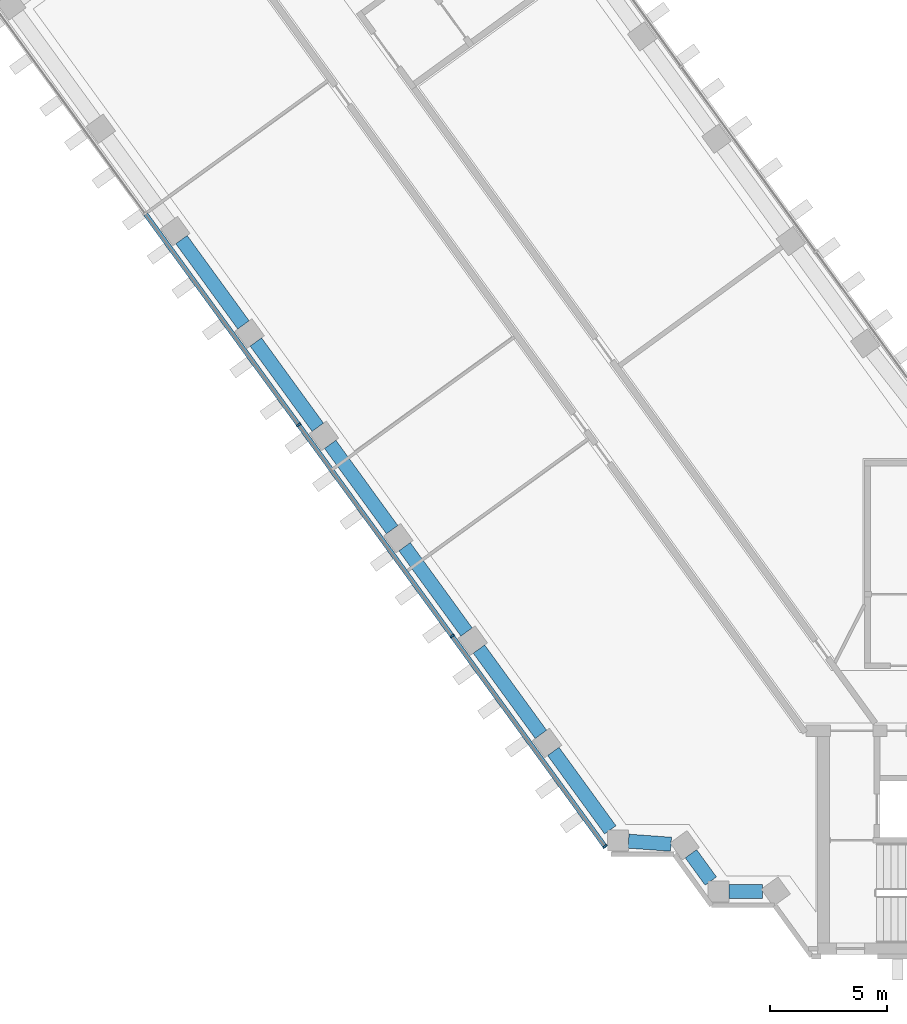
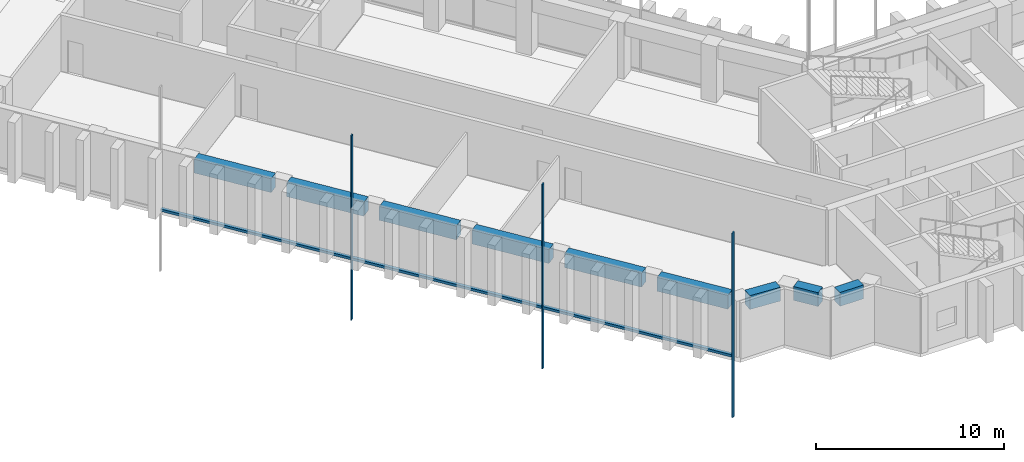
# One storey, part 2 of 17: 9 beams, 6 members, 1 element without a shape of its own.
"""IFC4 building model written with IfcOpenShell, lengths in metres."""

from ifc_helpers import new_model, si_unit, direction, frame, origin, origin_2d, place, context, subcontext, project, spatial, rectangle, extrude, material, material_profile, profile_set, type_object, element, aggregate, save


model = new_model("IFC4")

# Units and contexts
model_context = context("Model", 3, precision=1e-05, world=origin(), true_north=direction((0.0, 1.0)))
body_context = subcontext(model_context, "Body", "Model", "MODEL_VIEW")
ifc_project = project(units=[si_unit("LENGTHUNIT", "METRE"), si_unit("AREAUNIT", "SQUARE_METRE"), si_unit("VOLUMEUNIT", "CUBIC_METRE"), si_unit("PLANEANGLEUNIT", "RADIAN"), si_unit("MASSUNIT", "GRAM", prefix="KILO")], contexts=[model_context])

# Site, building, storey
site_placement = place(None, origin())
site = spatial("IfcSite", under=ifc_project, at=site_placement, CompositionType="ELEMENT")
building_placement = place(site_placement, origin())
building = spatial("IfcBuilding", under=site, at=building_placement, Name="Quipu Civic Tower", CompositionType="ELEMENT")
storey_placement = place(building_placement, frame((0.0, 0.0, 101.0)))
storey = spatial("IfcBuildingStorey", under=building, at=storey_placement, Name="L23", CompositionType="ELEMENT", Elevation=101.0)

# Curtain wall, members
ifc_material_1 = material(Name="Insulated glass unit", Category="glass")
curtain_wall_type = type_object("IfcCurtainWallType", Name="Office curtain wall CW1", PredefinedType="NOTDEFINED", material=ifc_material_1)
curtain_wall_placement = place(storey_placement, origin())
curtain_wall = element("IfcCurtainWall", 1, at=curtain_wall_placement, inside=storey, type_object=curtain_wall_type, Name="Office curtain wall CW1 L22 run 20", PredefinedType="NOTDEFINED")
ifc_material_2 = material(Name="Anodised aluminium", Category="aluminium")
ifc_material_profile_1 = material_profile(ifc_material_2, rectangle(XDim=0.199951171875, YDim=0.080078125, at=origin_2d()), Name="RECT 200x80")
ifc_profile_set_1 = profile_set([ifc_material_profile_1], Name="Anodised aluminium")
member_type_1 = type_object("IfcMemberType", Name="Mullion CW1", PredefinedType="MULLION", material=ifc_profile_set_1)
member_1_placement = place(storey_placement, frame((-42.155029296875, 11.609130859375, -3.919921875), z_axis=(0.0, 0.0, 1.0), x_axis=(0.809016770908, 0.587785559869, 0.0)))
member_1 = element("IfcMember", 2, at=member_1_placement, type_object=member_type_1, Name="CW1 mullion 3", PredefinedType="MULLION", context=body_context, shape_type="SweptSolid", body=[
    extrude(rectangle(XDim=0.199951171875, YDim=0.080078125, at=origin_2d()), origin(), (0.0, 0.0, 1.0), 12.0),
])
member_2_placement = place(storey_placement, frame((-35.60546875, 2.594482421875, -3.919921875), z_axis=(0.0, 0.0, 1.0), x_axis=(0.809016770908, 0.587785559869, 0.0)))
member_2 = element("IfcMember", 3, at=member_2_placement, type_object=member_type_1, Name="CW1 mullion 4", PredefinedType="MULLION", context=body_context, shape_type="SweptSolid", body=[
    extrude(rectangle(XDim=0.199951171875, YDim=0.080078125, at=origin_2d()), origin(), (0.0, 0.0, 1.0), 12.0),
])
member_3_placement = place(storey_placement, frame((-29.079345703125, -6.3876953125, -3.919921875), z_axis=(0.0, 0.0, 1.0), x_axis=(0.809016770908, 0.587785559869, 0.0)))
member_3 = element("IfcMember", 4, at=member_3_placement, type_object=member_type_1, Name="CW1 mullion 5", PredefinedType="MULLION", context=body_context, shape_type="SweptSolid", body=[
    extrude(rectangle(XDim=0.199951171875, YDim=0.080078125, at=origin_2d()), origin(), (0.0, 0.0, 1.0), 12.0),
])

# Beams
ifc_material_3 = material(Name="Concrete C50/60", Category="concrete")
ifc_material_profile_2 = material_profile(ifc_material_3, rectangle(XDim=0.60009765625, YDim=0.89990234375, at=origin_2d()), Name="RC600x900")
ifc_profile_set_2 = profile_set([ifc_material_profile_2], Name="Concrete C50/60")
beam_type = type_object("IfcBeamType", Name="Spandrel beam RC 600x900 C50/60", PredefinedType="SPANDREL", material=ifc_profile_set_2)
beam_1_placement = place(storey_placement, frame((-47.15380859375, 19.5107421875, 3.199951171875), z_axis=(0.587803872688, -0.809003465539, 0.0), x_axis=(0.809003465539, 0.587803872688, 0.0)))
element("IfcBeam", 5, at=beam_1_placement, inside=storey, type_object=beam_type, Name="Spandrel beam L23 W-OUT-06 to W-OUT-05", PredefinedType="SPANDREL", context=body_context, shape_type="SweptSolid", body=[
    extrude(rectangle(XDim=0.60009765625, YDim=0.89990234375, at=origin_2d()), origin(), (0.0, 0.0, 1.0), 4.499755859375),
])
for number, where, z_axis, x_axis, name in (
    (6, (-43.97998046875, 15.14208984375, 3.199951171875), (0.587778073121, -0.809022210299, 0.0), (0.809022210299, 0.587778073121, 0.0), "Spandrel beam L23 W-OUT-05 to W-OUT-04"),
    (7, (-40.805908203125, 10.7734375, 3.199951171875), (0.587778073121, -0.809022210299, 0.0), (0.809022210299, 0.587778073121, 0.0), "Spandrel beam L23 W-OUT-04 to W-OUT-03"),
):
    element("IfcBeam", number, at=place(storey_placement, frame(where, z_axis=z_axis, x_axis=x_axis)), inside=storey, type_object=beam_type, Name=name, PredefinedType="SPANDREL", context=body_context, shape_type="SweptSolid", body=[
        extrude(rectangle(XDim=0.60009765625, YDim=0.89990234375, at=origin_2d()), origin(), (0.0, 0.0, 1.0), 4.5),
    ])
beam_2_placement = place(storey_placement, frame((-37.6318359375, 6.404541015625, 3.199951171875), z_axis=(0.587803872688, -0.809003465539, 0.0), x_axis=(0.809003465539, 0.587803872688, 0.0)))
element("IfcBeam", 8, at=beam_2_placement, inside=storey, type_object=beam_type, Name="Spandrel beam L23 W-OUT-03 to W-OUT-02", PredefinedType="SPANDREL", context=body_context, shape_type="SweptSolid", body=[
    extrude(rectangle(XDim=0.60009765625, YDim=0.89990234375, at=origin_2d()), origin(), (0.0, 0.0, 1.0), 4.499755859375),
])
beam_3_placement = place(storey_placement, frame((-34.457763671875, 2.035888671875, 3.199951171875), z_axis=(0.587778073121, -0.809022210299, 0.0), x_axis=(0.809022210299, 0.587778073121, 0.0)))
element("IfcBeam", 9, at=beam_3_placement, inside=storey, type_object=beam_type, Name="Spandrel beam L23 W-OUT-02 to W-OUT-01", PredefinedType="SPANDREL", context=body_context, shape_type="SweptSolid", body=[
    extrude(rectangle(XDim=0.60009765625, YDim=0.89990234375, at=origin_2d()), origin(), (0.0, 0.0, 1.0), 4.5),
])
beam_4_placement = place(storey_placement, frame((-31.28369140625, -2.332763671875, 3.199951171875), z_axis=(0.587750565781, -0.809042194464, 0.0), x_axis=(0.809042194464, 0.587750565781, 0.0)))
element("IfcBeam", 10, at=beam_4_placement, inside=storey, type_object=beam_type, Name="Spandrel beam L23 W-OUT-01 to J-Wo.0", PredefinedType="SPANDREL", context=body_context, shape_type="SweptSolid", body=[
    extrude(rectangle(XDim=0.60009765625, YDim=0.89990234375, at=origin_2d()), origin(), (0.0, 0.0, 1.0), 4.13720703125),
])
beam_5_placement = place(storey_placement, frame((-28.074951171875, -6.16259765625, 3.199951171875), z_axis=(0.997367229877, -0.072516265536, 0.0), x_axis=(0.072516265536, 0.997367229877, 0.0)))
element("IfcBeam", 11, at=beam_5_placement, inside=storey, type_object=beam_type, Name="Spandrel beam L23 J-Wo.0 to J-Wo.1", PredefinedType="SPANDREL", context=body_context, shape_type="SweptSolid", body=[
    extrude(rectangle(XDim=0.60009765625, YDim=0.89990234375, at=origin_2d()), origin(), (0.0, 0.0, 1.0), 1.818115234375),
])
beam_6_placement = place(storey_placement, frame((-25.40966796875, -6.700927734375, 3.199951171875), z_axis=(0.588433824377, -0.808545381738, 0.0), x_axis=(0.808545381738, 0.588433824377, 0.0)))
element("IfcBeam", 12, at=beam_6_placement, inside=storey, type_object=beam_type, Name="Spandrel beam L23 J-Wo.1 to J-Wo.2", PredefinedType="SPANDREL", context=body_context, shape_type="SweptSolid", body=[
    extrude(rectangle(XDim=0.60009765625, YDim=0.89990234375, at=origin_2d()), origin(), (0.0, 0.0, 1.0), 1.439697265625),
])
beam_7_placement = place(storey_placement, frame((-23.784912109375, -8.31494140625, 3.199951171875), z_axis=(1.0, 0.0, 0.0), x_axis=(0.0, 1.0, 0.0)))
element("IfcBeam", 13, at=beam_7_placement, inside=storey, type_object=beam_type, Name="Spandrel beam L23 J-Wo.2 to J-Wo.3", PredefinedType="SPANDREL", context=body_context, shape_type="SweptSolid", body=[
    extrude(rectangle(XDim=0.60009765625, YDim=0.89990234375, at=origin_2d()), origin(), (0.0, 0.0, 1.0), 1.436767578125),
])

# Member
ifc_material_4 = material(Name="Anodised aluminium", Category="aluminium")
ifc_material_profile_3 = material_profile(ifc_material_4, rectangle(XDim=0.199951171875, YDim=0.159912109375, at=origin_2d()), Name="RECT 200x160")
ifc_profile_set_3 = profile_set([ifc_material_profile_3], Name="Anodised aluminium")
member_type_2 = type_object("IfcMemberType", Name="Transom CW1", PredefinedType="USERDEFINED", material=ifc_profile_set_3)
member_4_placement = place(storey_placement, frame((-48.68115234375, 20.591552734375, 0.080078125), z_axis=(0.587795037589, -0.80900988485, 0.0), x_axis=(0.80900988485, 0.587795037589, 0.0)))
member_4 = element("IfcMember", 14, at=member_4_placement, type_object=member_type_2, Name="CW1 transom 2.2", ObjectType="TRANSOM", PredefinedType="USERDEFINED", context=body_context, shape_type="SweptSolid", body=[
    extrude(rectangle(XDim=0.199951171875, YDim=0.159912109375, at=origin_2d()), origin(), (0.0, 0.0, 1.0), 11.062744140625),
])

member_5_placement = place(storey_placement, frame((-42.131591796875, 11.576904296875, 0.080078125), z_axis=(0.587795037589, -0.80900988485, 0.0), x_axis=(0.80900988485, 0.587795037589, 0.0)))
member_5 = element("IfcMember", 15, at=member_5_placement, type_object=member_type_2, Name="CW1 transom 3.2", ObjectType="TRANSOM", PredefinedType="USERDEFINED", context=body_context, shape_type="SweptSolid", body=[
    extrude(rectangle(XDim=0.199951171875, YDim=0.159912109375, at=origin_2d()), origin(), (0.0, 0.0, 1.0), 11.062744140625),
])

member_6_placement = place(storey_placement, frame((-35.58203125, 2.562255859375, 0.080078125), z_axis=(0.587779179422, -0.809021406539, 0.0), x_axis=(0.809021406539, 0.587779179422, 0.0)))
member_6 = element("IfcMember", 16, at=member_6_placement, type_object=member_type_2, Name="CW1 transom 4.2", ObjectType="TRANSOM", PredefinedType="USERDEFINED", context=body_context, shape_type="SweptSolid", body=[
    extrude(rectangle(XDim=0.199951171875, YDim=0.159912109375, at=origin_2d()), origin(), (0.0, 0.0, 1.0), 11.02294921875),
])

aggregate(curtain_wall, [member_1, member_2, member_3, member_4, member_5, member_6])

save(model, "model.ifc")
